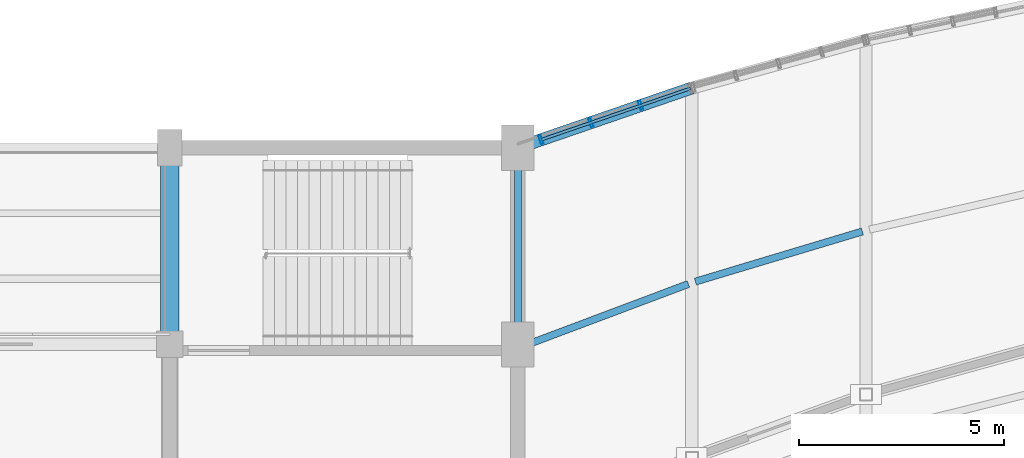
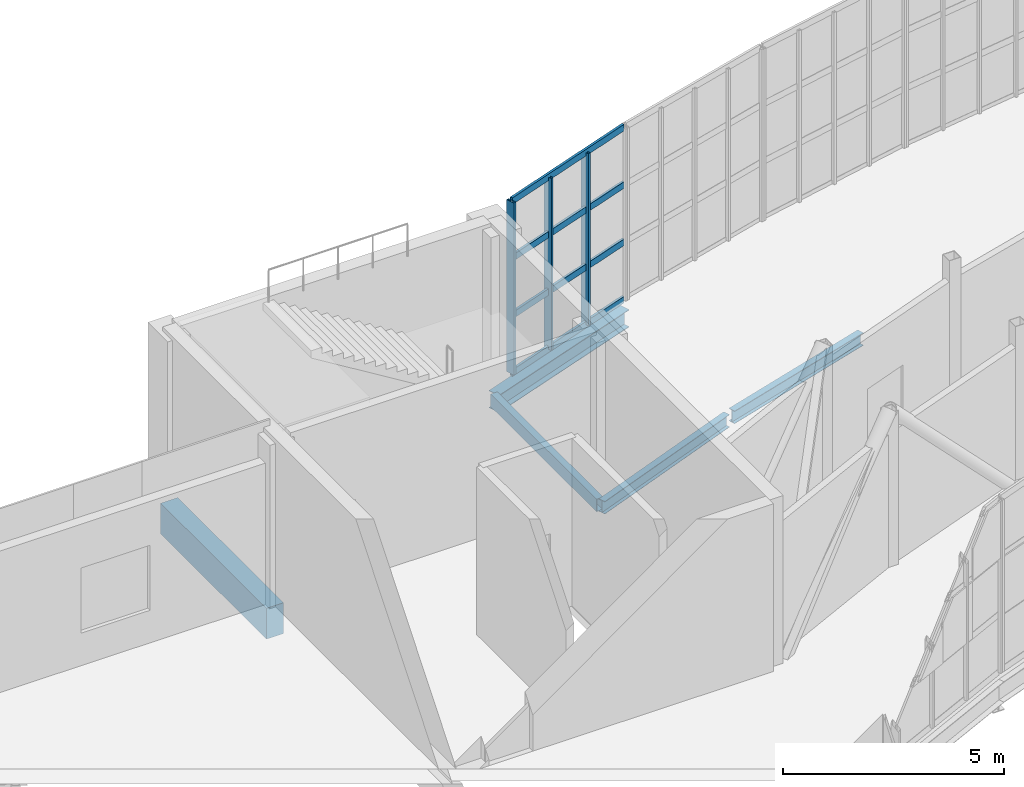
# One storey, part 23 of 66: 7 members, 5 beams, 1 element without a shape of its own.
"""IFC4 building model written with IfcOpenShell, lengths in metres."""

from ifc_helpers import new_model, si_unit, direction, frame, origin, origin_2d, place, context, subcontext, project, spatial, rectangle, hollow_rectangle, i_section, extrude, material, material_profile, profile_set, type_object, element, aggregate, save


model = new_model("IFC4")

# Units and contexts
model_context = context("Model", 3, precision=1e-05, world=origin(), true_north=direction((0.0, 1.0)))
body_context = subcontext(model_context, "Body", "Model", "MODEL_VIEW")
ifc_project = project(units=[si_unit("LENGTHUNIT", "METRE"), si_unit("AREAUNIT", "SQUARE_METRE"), si_unit("VOLUMEUNIT", "CUBIC_METRE"), si_unit("PLANEANGLEUNIT", "RADIAN"), si_unit("MASSUNIT", "GRAM", prefix="KILO")], contexts=[model_context])

# Site, building, storey
site_placement = place(None, origin())
site = spatial("IfcSite", under=ifc_project, at=site_placement, CompositionType="ELEMENT")
building_placement = place(site_placement, origin())
building = spatial("IfcBuilding", under=site, at=building_placement, Name="Solvikara Media Centre", CompositionType="ELEMENT")
storey_placement = place(building_placement, frame((0.0, 0.0, 19.800048828125)))
storey = spatial("IfcBuildingStorey", under=building, at=storey_placement, Name="L04", CompositionType="ELEMENT", Elevation=19.800048828125)

# Beams
ifc_material_1 = material(Name="Concrete fc' 35 MPa (C35/45)", Category="concrete")
ifc_material_profile_1 = material_profile(ifc_material_1, rectangle(XDim=0.449951171875, YDim=0.85009765625, at=origin_2d()), Name="RC 450x850")
ifc_profile_set_1 = profile_set([ifc_material_profile_1], Name="Concrete fc' 35 MPa (C35/45)")
beam_type_1 = type_object("IfcBeamType", Name="BM-14", PredefinedType="SPANDREL", material=ifc_profile_set_1)
beam_1_placement = place(storey_placement, frame((68.0, 32.0, -0.64501953125), z_axis=(0.0, 1.0, 0.0), x_axis=(-1.0, 0.0, 0.0)))
element("IfcBeam", 1, at=beam_1_placement, inside=storey, type_object=beam_type_1, Name="B-L04-Y1532", PredefinedType="SPANDREL", context=body_context, shape_type="SweptSolid", body=[
    extrude(rectangle(XDim=0.449951171875, YDim=0.85009765625, at=origin_2d()), origin(), (0.0, 0.0, 1.0), 4.800048828125),
])
ifc_material_2 = material(Name="Steel S355JR", Category="steel")
ifc_material_profile_2 = material_profile(ifc_material_2, i_section(OverallWidth=0.175048828125, OverallDepth=0.35009765625, WebThickness=0.007080078125, FlangeThickness=0.010986328125, at=origin_2d()), Name="WF 350x175x7x11")
ifc_profile_set_2 = profile_set([ifc_material_profile_2], Name="Steel S355JR")
beam_type_2 = type_object("IfcBeamType", Name="BM-22", PredefinedType="JOIST", material=ifc_profile_set_2)
beam_2_placement = place(storey_placement, frame((76.5, 31.906982421875, -0.39697265625), z_axis=(0.936058378207, 0.351844727955, 0.0), x_axis=(-0.351844727955, 0.936058378207, 0.0)))
element("IfcBeam", 2, at=beam_2_placement, inside=storey, type_object=beam_type_2, Name="BJ-L04-00-72", PredefinedType="JOIST", context=body_context, shape_type="SweptSolid", body=[
    extrude(i_section(OverallWidth=0.175048828125, OverallDepth=0.35009765625, WebThickness=0.007080078125, FlangeThickness=0.010986328125, at=origin_2d()), origin(), (0.0, 0.0, 1.0), 4.45068359375),
])
beam_3_placement = place(storey_placement, frame((80.8359375, 33.531005859375, -0.39697265625), z_axis=(0.95779787385, 0.287442573133, 0.0), x_axis=(-0.287442573133, 0.95779787385, 0.0)))
element("IfcBeam", 3, at=beam_3_placement, inside=storey, type_object=beam_type_2, Name="BJ-L04-01-72", PredefinedType="JOIST", context=body_context, shape_type="SweptSolid", body=[
    extrude(i_section(OverallWidth=0.175048828125, OverallDepth=0.35009765625, WebThickness=0.007080078125, FlangeThickness=0.010986328125, at=origin_2d()), origin(), (0.0, 0.0, 1.0), 4.2578125),
])
ifc_material_profile_3 = material_profile(ifc_material_2, i_section(OverallWidth=0.300048828125, OverallDepth=0.48193359375, WebThickness=0.010986328125, FlangeThickness=0.014892578125, at=origin_2d()), Name="WF 482x300x11x15")
ifc_profile_set_3 = profile_set([ifc_material_profile_3], Name="Steel S355JR")
beam_type_3 = type_object("IfcBeamType", Name="BM-32", PredefinedType="SPANDREL", material=ifc_profile_set_3)
beam_4_placement = place(storey_placement, frame((76.5, 36.800048828125, -0.463134765625), z_axis=(0.945753386984, 0.324885412119, 0.0), x_axis=(-0.324885412119, 0.945753386984, 0.0)))
element("IfcBeam", 4, at=beam_4_placement, inside=storey, type_object=beam_type_3, Name="B-L04-NARC-00", PredefinedType="SPANDREL", context=body_context, shape_type="SweptSolid", body=[
    extrude(i_section(OverallWidth=0.300048828125, OverallDepth=0.48193359375, WebThickness=0.010986328125, FlangeThickness=0.014892578125, at=origin_2d()), origin(), (0.0, 0.0, 1.0), 4.49365234375),
])
ifc_material_profile_4 = material_profile(ifc_material_2, hollow_rectangle(XDim=0.175048828125, YDim=0.35009765625, WallThickness=0.010009765625, at=origin_2d()), Name="RHS 350x175x10")
ifc_profile_set_4 = profile_set([ifc_material_profile_4], Name="Steel S355JR")
beam_type_4 = type_object("IfcBeamType", Name="BM-34", PredefinedType="SPANDREL", material=ifc_profile_set_4)
beam_5_placement = place(storey_placement, frame((76.5, 32.0, -0.39697265625), z_axis=(0.0, 1.0, 0.0), x_axis=(-1.0, 0.0, 0.0)))
element("IfcBeam", 5, at=beam_5_placement, inside=storey, type_object=beam_type_4, Name="B-L04-Y1534", PredefinedType="SPANDREL", context=body_context, shape_type="SweptSolid", body=[
    extrude(hollow_rectangle(XDim=0.175048828125, YDim=0.35009765625, WallThickness=0.010009765625, at=origin_2d()), origin(), (0.0, 0.0, 1.0), 4.800048828125),
])

# Curtain wall, members
ifc_material_3 = material(Name="Anodised aluminium EN AW-6063", Category="aluminium")
curtain_wall_type = type_object("IfcCurtainWallType", Name="CW-02", PredefinedType="NOTDEFINED", material=ifc_material_3)
curtain_wall_placement = place(storey_placement, origin())
curtain_wall = element("IfcCurtainWall", 6, at=curtain_wall_placement, inside=storey, type_object=curtain_wall_type, Name="CW-L04-NARC-00", PredefinedType="NOTDEFINED")
ifc_material_profile_5 = material_profile(ifc_material_3, hollow_rectangle(XDim=0.06494140625, YDim=0.219970703125, WallThickness=0.00390625, at=origin_2d()), Name="ALU-M 65x220x4")
ifc_profile_set_5 = profile_set([ifc_material_profile_5], Name="Anodised aluminium EN AW-6063")
member_type_1 = type_object("IfcMemberType", Name="MF-01", PredefinedType="MULLION", material=ifc_profile_set_5)
member_1_placement = place(storey_placement, frame((77.06494140625, 36.993896484375, 0.02001953125), z_axis=(0.0, 0.0, 1.0), x_axis=(0.945717277442, 0.324990509319, 0.0)))
member_1 = element("IfcMember", 7, at=member_1_placement, type_object=member_type_1, Name="CW-L04-NARC-00-M00", PredefinedType="MULLION", context=body_context, shape_type="SweptSolid", body=[
    extrude(hollow_rectangle(XDim=0.06494140625, YDim=0.219970703125, WallThickness=0.00390625, at=origin_2d()), origin(), (0.0, 0.0, 1.0), 4.760009765625),
])
member_2_placement = place(storey_placement, frame((78.281982421875, 37.412109375, 0.02001953125), z_axis=(0.0, 0.0, 1.0), x_axis=(0.945717277442, 0.324990509319, 0.0)))
member_2 = element("IfcMember", 8, at=member_2_placement, type_object=member_type_1, Name="CW-L04-NARC-00-M01", PredefinedType="MULLION", context=body_context, shape_type="SweptSolid", body=[
    extrude(hollow_rectangle(XDim=0.06494140625, YDim=0.219970703125, WallThickness=0.00390625, at=origin_2d()), origin(), (0.0, 0.0, 1.0), 4.760009765625),
])
member_3_placement = place(storey_placement, frame((79.4990234375, 37.8310546875, 0.02001953125), z_axis=(0.0, 0.0, 1.0), x_axis=(0.945717277442, 0.324990509319, 0.0)))
member_3 = element("IfcMember", 9, at=member_3_placement, type_object=member_type_1, Name="CW-L04-NARC-00-M02", PredefinedType="MULLION", context=body_context, shape_type="SweptSolid", body=[
    extrude(hollow_rectangle(XDim=0.06494140625, YDim=0.219970703125, WallThickness=0.00390625, at=origin_2d()), origin(), (0.0, 0.0, 1.0), 4.760009765625),
])
ifc_material_profile_6 = material_profile(ifc_material_3, hollow_rectangle(XDim=0.06494140625, YDim=0.179931640625, WallThickness=0.00341796875, at=origin_2d()), Name="ALU-T 65x180x3.5")
ifc_profile_set_6 = profile_set([ifc_material_profile_6], Name="Anodised aluminium EN AW-6063")
member_type_2 = type_object("IfcMemberType", Name="MF-07", PredefinedType="USERDEFINED", material=ifc_profile_set_6)
member_4_placement = place(storey_placement, frame((77.06494140625, 36.993896484375, 0.02001953125), z_axis=(0.945709069159, 0.325014394314, 0.0), x_axis=(-0.325014394314, 0.945709069159, 0.0)))
member_4 = element("IfcMember", 10, at=member_4_placement, type_object=member_type_2, Name="CW-L04-NARC-00-T00", ObjectType="TRANSOM", PredefinedType="USERDEFINED", context=body_context, shape_type="SweptSolid", body=[
    extrude(hollow_rectangle(XDim=0.06494140625, YDim=0.179931640625, WallThickness=0.00341796875, at=origin_2d()), origin(), (0.0, 0.0, 1.0), 3.86181640625),
])
member_5_placement = place(storey_placement, frame((77.06494140625, 36.993896484375, 1.60693359375), z_axis=(0.945709069159, 0.325014394314, 0.0), x_axis=(-0.325014394314, 0.945709069159, 0.0)))
member_5 = element("IfcMember", 11, at=member_5_placement, type_object=member_type_2, Name="CW-L04-NARC-00-T01", ObjectType="TRANSOM", PredefinedType="USERDEFINED", context=body_context, shape_type="SweptSolid", body=[
    extrude(hollow_rectangle(XDim=0.06494140625, YDim=0.179931640625, WallThickness=0.00341796875, at=origin_2d()), origin(), (0.0, 0.0, 1.0), 3.86181640625),
])
member_6_placement = place(storey_placement, frame((77.06494140625, 36.993896484375, 3.19287109375), z_axis=(0.945709069159, 0.325014394314, 0.0), x_axis=(-0.325014394314, 0.945709069159, 0.0)))
member_6 = element("IfcMember", 12, at=member_6_placement, type_object=member_type_2, Name="CW-L04-NARC-00-T02", ObjectType="TRANSOM", PredefinedType="USERDEFINED", context=body_context, shape_type="SweptSolid", body=[
    extrude(hollow_rectangle(XDim=0.06494140625, YDim=0.179931640625, WallThickness=0.00341796875, at=origin_2d()), origin(), (0.0, 0.0, 1.0), 3.86181640625),
])
member_7_placement = place(storey_placement, frame((77.06494140625, 36.993896484375, 4.780029296875), z_axis=(0.945709069159, 0.325014394314, 0.0), x_axis=(-0.325014394314, 0.945709069159, 0.0)))
member_7 = element("IfcMember", 13, at=member_7_placement, type_object=member_type_2, Name="CW-L04-NARC-00-T03", ObjectType="TRANSOM", PredefinedType="USERDEFINED", context=body_context, shape_type="SweptSolid", body=[
    extrude(hollow_rectangle(XDim=0.06494140625, YDim=0.179931640625, WallThickness=0.00341796875, at=origin_2d()), origin(), (0.0, 0.0, 1.0), 3.86181640625),
])
aggregate(curtain_wall, [member_1, member_2, member_3, member_4, member_5, member_6, member_7])

save(model, "model.ifc")
